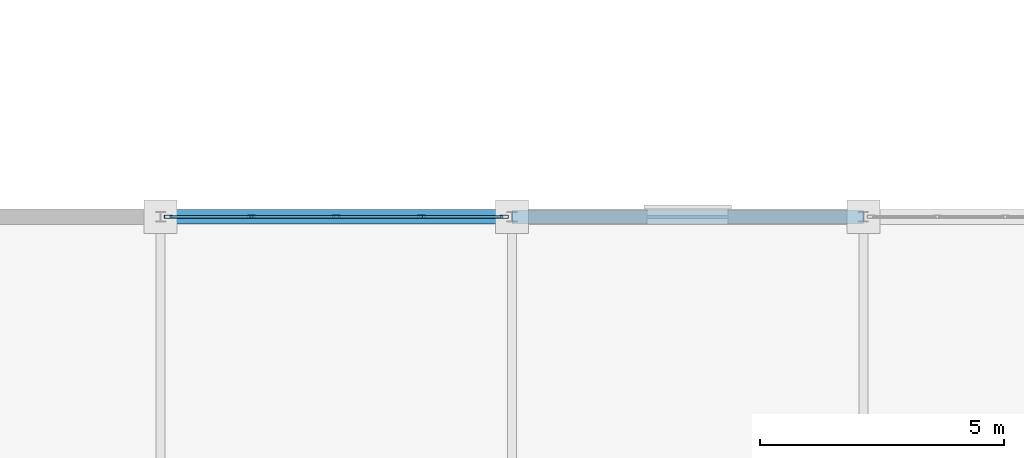
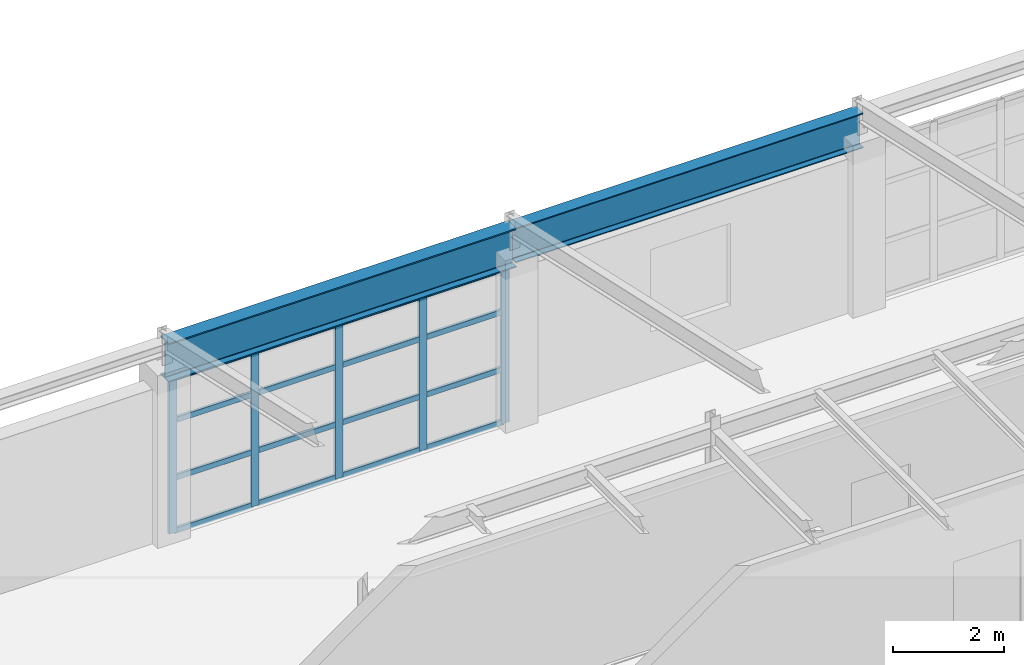
# One storey, part 55 of 101: 21 members, 2 beams, 1 element without a shape of its own.
"""IFC4 building model written with IfcOpenShell, lengths in metres."""

from ifc_helpers import new_model, si_unit, direction, frame, origin, origin_2d, place, context, subcontext, project, spatial, hollow_rectangle, i_section, extrude, material, layer, layer_set, material_profile, profile_set, type_object, element, aggregate, save


model = new_model("IFC4")

# Units and contexts
model_context = context("Model", 3, precision=1e-05, world=origin(), true_north=direction((0.0, 1.0)))
body_context = subcontext(model_context, "Body", "Model", "MODEL_VIEW")
ifc_project = project(units=[si_unit("LENGTHUNIT", "METRE"), si_unit("AREAUNIT", "SQUARE_METRE"), si_unit("VOLUMEUNIT", "CUBIC_METRE"), si_unit("PLANEANGLEUNIT", "RADIAN"), si_unit("MASSUNIT", "GRAM", prefix="KILO")], contexts=[model_context])

# Site, building, storey
site_placement = place(None, origin())
site = spatial("IfcSite", under=ifc_project, at=site_placement, CompositionType="ELEMENT")
building_placement = place(site_placement, origin())
building = spatial("IfcBuilding", under=site, at=building_placement, Name="Kemerveld Promenade Tramway Depot", CompositionType="ELEMENT")
storey_placement = place(building_placement, frame((0.0, 0.0, 9.89990234375)))
storey = spatial("IfcBuildingStorey", under=building, at=storey_placement, Name="L02", CompositionType="ELEMENT", Elevation=9.89990234375)

# Beams
ifc_material_1 = material(Name="Steel S355", Category="steel")
ifc_material_profile_1 = material_profile(ifc_material_1, i_section(OverallWidth=0.293701171875, OverallDepth=0.850830078125, WebThickness=0.01611328125, FlangeThickness=0.02685546875, FilletRadius=0.017822265625, at=origin_2d()), Name="838x292x226 UB")
ifc_profile_set_1 = profile_set([ifc_material_profile_1], Name="Steel S355")
beam_type_1 = type_object("IfcBeamType", Name="BM-G01", PredefinedType="BEAM", material=ifc_profile_set_1)
beam_1_placement = place(storey_placement, frame((64.800048828125, 28.800048828125, 3.849609375), z_axis=(1.0, 0.0, 0.0), x_axis=(0.0, 1.0, 0.0)))
element("IfcBeam", 1, at=beam_1_placement, inside=storey, type_object=beam_type_1, Name="BMX-L02-10-11-E", PredefinedType="BEAM", context=body_context, shape_type="SweptSolid", body=[
    extrude(i_section(OverallWidth=0.293701171875, OverallDepth=0.850830078125, WebThickness=0.01611328125, FlangeThickness=0.02685546875, FilletRadius=0.017822265625, at=origin_2d()), origin(), (0.0, 0.0, 1.0), 7.199951171875),
])
ifc_material_profile_2 = material_profile(ifc_material_1, i_section(OverallWidth=0.2666015625, OverallDepth=0.76220703125, WebThickness=0.014404296875, FlangeThickness=0.021484375, FilletRadius=0.0166015625, at=origin_2d()), Name="762x267x173 UB")
ifc_profile_set_2 = profile_set([ifc_material_profile_2], Name="Steel S355")
beam_type_2 = type_object("IfcBeamType", Name="BM-G02", PredefinedType="BEAM", material=ifc_profile_set_2)
beam_2_placement = place(storey_placement, frame((72.0, 28.800048828125, 3.89404296875), z_axis=(1.0, 0.0, 0.0), x_axis=(0.0, 1.0, 0.0)))
element("IfcBeam", 2, at=beam_2_placement, inside=storey, type_object=beam_type_2, Name="BMX-L02-11-12-E", PredefinedType="BEAM", context=body_context, shape_type="SweptSolid", body=[
    extrude(i_section(OverallWidth=0.2666015625, OverallDepth=0.76220703125, WebThickness=0.014404296875, FlangeThickness=0.021484375, FilletRadius=0.0166015625, at=origin_2d()), origin(), (0.0, 0.0, 1.0), 7.199951171875),
])

# Curtain wall, members
ifc_material_2 = material(Name="Bronze anodised aluminium and solar glass", Category="aluminium")
ifc_layer = layer(ifc_material_2, 0.159912109375)
ifc_layer_set = layer_set([ifc_layer], Name="CW-SYS-05")
curtain_wall_type = type_object("IfcCurtainWallType", Name="CW-SYS-05", PredefinedType="USERDEFINED", material=ifc_layer_set)
curtain_wall_placement = place(storey_placement, origin())
curtain_wall = element("IfcCurtainWall", 3, at=curtain_wall_placement, inside=storey, type_object=curtain_wall_type, Name="CW-L02-V4N-02", ObjectType="GLAZED_CURTAIN_WALL", PredefinedType="USERDEFINED")
ifc_material_3 = material(Name="Bronze anodised aluminium", Category="aluminium")
ifc_material_profile_3 = material_profile(ifc_material_3, hollow_rectangle(XDim=0.06494140625, YDim=0.159912109375, WallThickness=0.00390625, InnerFilletRadius=0.001953125, OuterFilletRadius=0.00390625, at=origin_2d()), Name="CW-MUL-160x65")
ifc_profile_set_3 = profile_set([ifc_material_profile_3], Name="Bronze anodised aluminium")
member_type_1 = type_object("IfcMemberType", Name="CW-MUL-A", PredefinedType="MULLION", material=ifc_profile_set_3)
member_1_placement = place(storey_placement, frame((64.957275390625, 28.800048828125, 0.0), z_axis=(0.0, 0.0, 1.0), x_axis=(0.0, 1.0, 0.0)))
member_1 = element("IfcMember", 4, at=member_1_placement, type_object=member_type_1, Name="CW05 mullion 1", PredefinedType="MULLION", context=body_context, shape_type="SweptSolid", body=[
    extrude(hollow_rectangle(XDim=0.06494140625, YDim=0.159912109375, WallThickness=0.00390625, InnerFilletRadius=0.001953125, OuterFilletRadius=0.00390625, at=origin_2d()), origin(), (0.0, 0.0, 1.0), 3.404296875),
])
member_2_placement = place(storey_placement, frame((66.662353515625, 28.800048828125, 0.0), z_axis=(0.0, 0.0, 1.0), x_axis=(0.0, 1.0, 0.0)))
member_2 = element("IfcMember", 5, at=member_2_placement, type_object=member_type_1, Name="CW05 mullion 2", PredefinedType="MULLION", context=body_context, shape_type="SweptSolid", body=[
    extrude(hollow_rectangle(XDim=0.06494140625, YDim=0.159912109375, WallThickness=0.00390625, InnerFilletRadius=0.001953125, OuterFilletRadius=0.00390625, at=origin_2d()), origin(), (0.0, 0.0, 1.0), 3.404296875),
])
member_3_placement = place(storey_placement, frame((68.39990234375, 28.800048828125, 0.0), z_axis=(0.0, 0.0, 1.0), x_axis=(0.0, 1.0, 0.0)))
member_3 = element("IfcMember", 6, at=member_3_placement, type_object=member_type_1, Name="CW05 mullion 3", PredefinedType="MULLION", context=body_context, shape_type="SweptSolid", body=[
    extrude(hollow_rectangle(XDim=0.06494140625, YDim=0.159912109375, WallThickness=0.00390625, InnerFilletRadius=0.001953125, OuterFilletRadius=0.00390625, at=origin_2d()), origin(), (0.0, 0.0, 1.0), 3.404296875),
])
member_4_placement = place(storey_placement, frame((70.1376953125, 28.800048828125, 0.0), z_axis=(0.0, 0.0, 1.0), x_axis=(0.0, 1.0, 0.0)))
member_4 = element("IfcMember", 7, at=member_4_placement, type_object=member_type_1, Name="CW05 mullion 4", PredefinedType="MULLION", context=body_context, shape_type="SweptSolid", body=[
    extrude(hollow_rectangle(XDim=0.06494140625, YDim=0.159912109375, WallThickness=0.00390625, InnerFilletRadius=0.001953125, OuterFilletRadius=0.00390625, at=origin_2d()), origin(), (0.0, 0.0, 1.0), 3.404296875),
])
member_5_placement = place(storey_placement, frame((71.8427734375, 28.800048828125, 0.0), z_axis=(0.0, 0.0, 1.0), x_axis=(0.0, 1.0, 0.0)))
member_5 = element("IfcMember", 8, at=member_5_placement, type_object=member_type_1, Name="CW05 mullion 5", PredefinedType="MULLION", context=body_context, shape_type="SweptSolid", body=[
    extrude(hollow_rectangle(XDim=0.06494140625, YDim=0.159912109375, WallThickness=0.00390625, InnerFilletRadius=0.001953125, OuterFilletRadius=0.00390625, at=origin_2d()), origin(), (0.0, 0.0, 1.0), 3.404296875),
])
ifc_material_profile_4 = material_profile(ifc_material_3, hollow_rectangle(XDim=0.06005859375, YDim=0.1201171875, WallThickness=0.00390625, InnerFilletRadius=0.001953125, OuterFilletRadius=0.00390625, at=origin_2d()), Name="CW-TRN-120x60")
ifc_profile_set_4 = profile_set([ifc_material_profile_4], Name="Bronze anodised aluminium")
member_type_2 = type_object("IfcMemberType", Name="CW-TRN-A", PredefinedType="USERDEFINED", material=ifc_profile_set_4)
member_6_placement = place(storey_placement, frame((64.98974609375, 28.800048828125, 0.030029296875), z_axis=(1.0, 0.0, 0.0), x_axis=(0.0, 1.0, 0.0)))
member_6 = element("IfcMember", 9, at=member_6_placement, type_object=member_type_2, Name="CW05 transom 1.1", ObjectType="TRANSOM", PredefinedType="USERDEFINED", context=body_context, shape_type="SweptSolid", body=[
    extrude(hollow_rectangle(XDim=0.06005859375, YDim=0.1201171875, WallThickness=0.00390625, InnerFilletRadius=0.001953125, OuterFilletRadius=0.00390625, at=origin_2d()), origin(), (0.0, 0.0, 1.0), 1.64013671875),
])
member_7_placement = place(storey_placement, frame((64.98974609375, 28.800048828125, 1.191162109375), z_axis=(1.0, 0.0, 0.0), x_axis=(0.0, 1.0, 0.0)))
member_7 = element("IfcMember", 10, at=member_7_placement, type_object=member_type_2, Name="CW05 transom 1.2", ObjectType="TRANSOM", PredefinedType="USERDEFINED", context=body_context, shape_type="SweptSolid", body=[
    extrude(hollow_rectangle(XDim=0.06005859375, YDim=0.1201171875, WallThickness=0.00390625, InnerFilletRadius=0.001953125, OuterFilletRadius=0.00390625, at=origin_2d()), origin(), (0.0, 0.0, 1.0), 1.64013671875),
])
member_8_placement = place(storey_placement, frame((64.98974609375, 28.800048828125, 2.451171875), z_axis=(1.0, 0.0, 0.0), x_axis=(0.0, 1.0, 0.0)))
member_8 = element("IfcMember", 11, at=member_8_placement, type_object=member_type_2, Name="CW05 transom 1.3", ObjectType="TRANSOM", PredefinedType="USERDEFINED", context=body_context, shape_type="SweptSolid", body=[
    extrude(hollow_rectangle(XDim=0.06005859375, YDim=0.1201171875, WallThickness=0.00390625, InnerFilletRadius=0.001953125, OuterFilletRadius=0.00390625, at=origin_2d()), origin(), (0.0, 0.0, 1.0), 1.64013671875),
])
member_9_placement = place(storey_placement, frame((64.98974609375, 28.800048828125, 3.374267578125), z_axis=(1.0, 0.0, 0.0), x_axis=(0.0, 1.0, 0.0)))
member_9 = element("IfcMember", 12, at=member_9_placement, type_object=member_type_2, Name="CW05 transom 1.4", ObjectType="TRANSOM", PredefinedType="USERDEFINED", context=body_context, shape_type="SweptSolid", body=[
    extrude(hollow_rectangle(XDim=0.06005859375, YDim=0.1201171875, WallThickness=0.00390625, InnerFilletRadius=0.001953125, OuterFilletRadius=0.00390625, at=origin_2d()), origin(), (0.0, 0.0, 1.0), 1.64013671875),
])
member_10_placement = place(storey_placement, frame((66.69482421875, 28.800048828125, 0.030029296875), z_axis=(1.0, 0.0, 0.0), x_axis=(0.0, 1.0, 0.0)))
member_10 = element("IfcMember", 13, at=member_10_placement, type_object=member_type_2, Name="CW05 transom 2.1", ObjectType="TRANSOM", PredefinedType="USERDEFINED", context=body_context, shape_type="SweptSolid", body=[
    extrude(hollow_rectangle(XDim=0.06005859375, YDim=0.1201171875, WallThickness=0.00390625, InnerFilletRadius=0.001953125, OuterFilletRadius=0.00390625, at=origin_2d()), origin(), (0.0, 0.0, 1.0), 1.672607421875),
])
member_11_placement = place(storey_placement, frame((66.69482421875, 28.800048828125, 1.191162109375), z_axis=(1.0, 0.0, 0.0), x_axis=(0.0, 1.0, 0.0)))
member_11 = element("IfcMember", 14, at=member_11_placement, type_object=member_type_2, Name="CW05 transom 2.2", ObjectType="TRANSOM", PredefinedType="USERDEFINED", context=body_context, shape_type="SweptSolid", body=[
    extrude(hollow_rectangle(XDim=0.06005859375, YDim=0.1201171875, WallThickness=0.00390625, InnerFilletRadius=0.001953125, OuterFilletRadius=0.00390625, at=origin_2d()), origin(), (0.0, 0.0, 1.0), 1.672607421875),
])
member_12_placement = place(storey_placement, frame((66.69482421875, 28.800048828125, 2.451171875), z_axis=(1.0, 0.0, 0.0), x_axis=(0.0, 1.0, 0.0)))
member_12 = element("IfcMember", 15, at=member_12_placement, type_object=member_type_2, Name="CW05 transom 2.3", ObjectType="TRANSOM", PredefinedType="USERDEFINED", context=body_context, shape_type="SweptSolid", body=[
    extrude(hollow_rectangle(XDim=0.06005859375, YDim=0.1201171875, WallThickness=0.00390625, InnerFilletRadius=0.001953125, OuterFilletRadius=0.00390625, at=origin_2d()), origin(), (0.0, 0.0, 1.0), 1.672607421875),
])
member_13_placement = place(storey_placement, frame((66.69482421875, 28.800048828125, 3.374267578125), z_axis=(1.0, 0.0, 0.0), x_axis=(0.0, 1.0, 0.0)))
member_13 = element("IfcMember", 16, at=member_13_placement, type_object=member_type_2, Name="CW05 transom 2.4", ObjectType="TRANSOM", PredefinedType="USERDEFINED", context=body_context, shape_type="SweptSolid", body=[
    extrude(hollow_rectangle(XDim=0.06005859375, YDim=0.1201171875, WallThickness=0.00390625, InnerFilletRadius=0.001953125, OuterFilletRadius=0.00390625, at=origin_2d()), origin(), (0.0, 0.0, 1.0), 1.672607421875),
])
member_14_placement = place(storey_placement, frame((68.4326171875, 28.800048828125, 0.030029296875), z_axis=(1.0, 0.0, 0.0), x_axis=(0.0, 1.0, 0.0)))
member_14 = element("IfcMember", 17, at=member_14_placement, type_object=member_type_2, Name="CW05 transom 3.1", ObjectType="TRANSOM", PredefinedType="USERDEFINED", context=body_context, shape_type="SweptSolid", body=[
    extrude(hollow_rectangle(XDim=0.06005859375, YDim=0.1201171875, WallThickness=0.00390625, InnerFilletRadius=0.001953125, OuterFilletRadius=0.00390625, at=origin_2d()), origin(), (0.0, 0.0, 1.0), 1.67236328125),
])
member_15_placement = place(storey_placement, frame((68.4326171875, 28.800048828125, 1.191162109375), z_axis=(1.0, 0.0, 0.0), x_axis=(0.0, 1.0, 0.0)))
member_15 = element("IfcMember", 18, at=member_15_placement, type_object=member_type_2, Name="CW05 transom 3.2", ObjectType="TRANSOM", PredefinedType="USERDEFINED", context=body_context, shape_type="SweptSolid", body=[
    extrude(hollow_rectangle(XDim=0.06005859375, YDim=0.1201171875, WallThickness=0.00390625, InnerFilletRadius=0.001953125, OuterFilletRadius=0.00390625, at=origin_2d()), origin(), (0.0, 0.0, 1.0), 1.67236328125),
])
member_16_placement = place(storey_placement, frame((68.4326171875, 28.800048828125, 2.451171875), z_axis=(1.0, 0.0, 0.0), x_axis=(0.0, 1.0, 0.0)))
member_16 = element("IfcMember", 19, at=member_16_placement, type_object=member_type_2, Name="CW05 transom 3.3", ObjectType="TRANSOM", PredefinedType="USERDEFINED", context=body_context, shape_type="SweptSolid", body=[
    extrude(hollow_rectangle(XDim=0.06005859375, YDim=0.1201171875, WallThickness=0.00390625, InnerFilletRadius=0.001953125, OuterFilletRadius=0.00390625, at=origin_2d()), origin(), (0.0, 0.0, 1.0), 1.67236328125),
])
member_17_placement = place(storey_placement, frame((68.4326171875, 28.800048828125, 3.374267578125), z_axis=(1.0, 0.0, 0.0), x_axis=(0.0, 1.0, 0.0)))
member_17 = element("IfcMember", 20, at=member_17_placement, type_object=member_type_2, Name="CW05 transom 3.4", ObjectType="TRANSOM", PredefinedType="USERDEFINED", context=body_context, shape_type="SweptSolid", body=[
    extrude(hollow_rectangle(XDim=0.06005859375, YDim=0.1201171875, WallThickness=0.00390625, InnerFilletRadius=0.001953125, OuterFilletRadius=0.00390625, at=origin_2d()), origin(), (0.0, 0.0, 1.0), 1.67236328125),
])
member_18_placement = place(storey_placement, frame((70.170166015625, 28.800048828125, 0.030029296875), z_axis=(1.0, 0.0, 0.0), x_axis=(0.0, 1.0, 0.0)))
member_18 = element("IfcMember", 21, at=member_18_placement, type_object=member_type_2, Name="CW05 transom 4.1", ObjectType="TRANSOM", PredefinedType="USERDEFINED", context=body_context, shape_type="SweptSolid", body=[
    extrude(hollow_rectangle(XDim=0.06005859375, YDim=0.1201171875, WallThickness=0.00390625, InnerFilletRadius=0.001953125, OuterFilletRadius=0.00390625, at=origin_2d()), origin(), (0.0, 0.0, 1.0), 1.64013671875),
])
member_19_placement = place(storey_placement, frame((70.170166015625, 28.800048828125, 1.191162109375), z_axis=(1.0, 0.0, 0.0), x_axis=(0.0, 1.0, 0.0)))
member_19 = element("IfcMember", 22, at=member_19_placement, type_object=member_type_2, Name="CW05 transom 4.2", ObjectType="TRANSOM", PredefinedType="USERDEFINED", context=body_context, shape_type="SweptSolid", body=[
    extrude(hollow_rectangle(XDim=0.06005859375, YDim=0.1201171875, WallThickness=0.00390625, InnerFilletRadius=0.001953125, OuterFilletRadius=0.00390625, at=origin_2d()), origin(), (0.0, 0.0, 1.0), 1.64013671875),
])
member_20_placement = place(storey_placement, frame((70.170166015625, 28.800048828125, 2.451171875), z_axis=(1.0, 0.0, 0.0), x_axis=(0.0, 1.0, 0.0)))
member_20 = element("IfcMember", 23, at=member_20_placement, type_object=member_type_2, Name="CW05 transom 4.3", ObjectType="TRANSOM", PredefinedType="USERDEFINED", context=body_context, shape_type="SweptSolid", body=[
    extrude(hollow_rectangle(XDim=0.06005859375, YDim=0.1201171875, WallThickness=0.00390625, InnerFilletRadius=0.001953125, OuterFilletRadius=0.00390625, at=origin_2d()), origin(), (0.0, 0.0, 1.0), 1.64013671875),
])
member_21_placement = place(storey_placement, frame((70.170166015625, 28.800048828125, 3.374267578125), z_axis=(1.0, 0.0, 0.0), x_axis=(0.0, 1.0, 0.0)))
member_21 = element("IfcMember", 24, at=member_21_placement, type_object=member_type_2, Name="CW05 transom 4.4", ObjectType="TRANSOM", PredefinedType="USERDEFINED", context=body_context, shape_type="SweptSolid", body=[
    extrude(hollow_rectangle(XDim=0.06005859375, YDim=0.1201171875, WallThickness=0.00390625, InnerFilletRadius=0.001953125, OuterFilletRadius=0.00390625, at=origin_2d()), origin(), (0.0, 0.0, 1.0), 1.64013671875),
])
aggregate(curtain_wall, [member_1, member_2, member_3, member_4, member_5, member_6, member_7, member_8, member_9, member_10, member_11, member_12, member_13, member_14, member_15, member_16, member_17, member_18, member_19, member_20, member_21])

save(model, "model.ifc")
